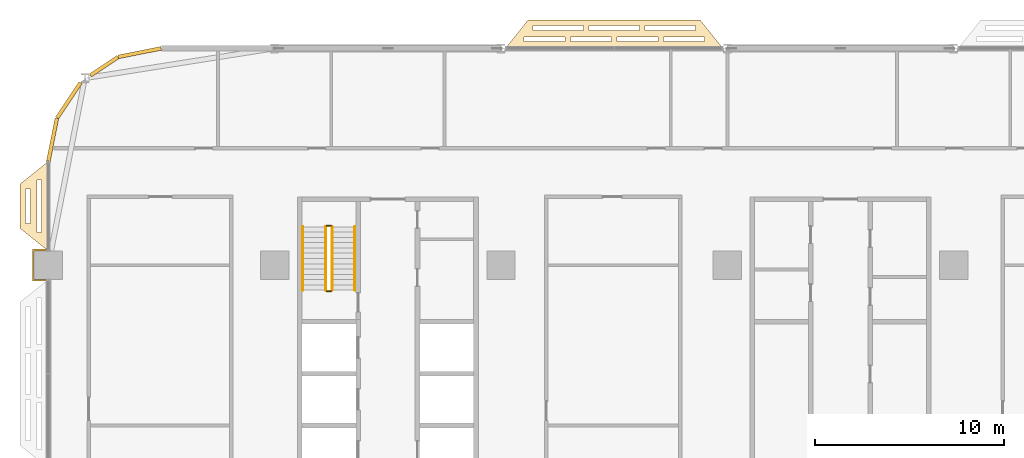
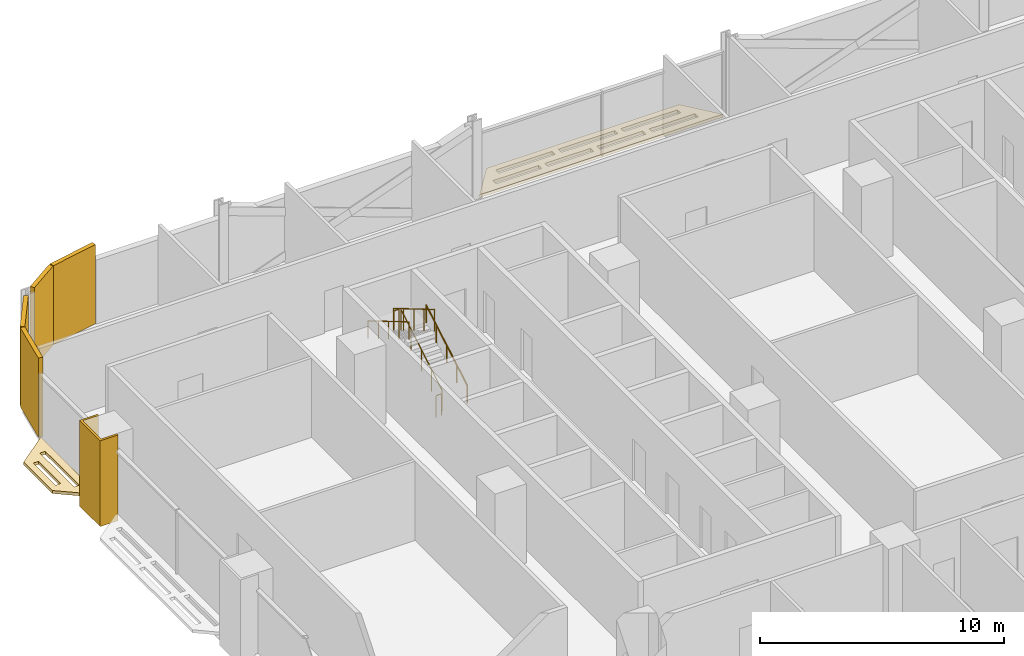
# One storey, part 26 of 29: 7 coverings, 6 railings.
"""IFC4 building model written with IfcOpenShell, lengths in metres."""

from ifc_helpers import new_model, si_unit, direction, frame, origin, origin_2d, place, context, subcontext, project, spatial, polyline, rectangle, circle, outline, extrude, material, layer, layer_set, type_object, element, save


model = new_model("IFC4")

# Units and contexts
model_context = context("Model", 3, precision=1e-05, world=origin(), true_north=direction((0.0, 1.0)))
body_context = subcontext(model_context, "Body", "Model", "MODEL_VIEW")
ifc_project = project(units=[si_unit("LENGTHUNIT", "METRE"), si_unit("AREAUNIT", "SQUARE_METRE"), si_unit("VOLUMEUNIT", "CUBIC_METRE"), si_unit("PLANEANGLEUNIT", "RADIAN"), si_unit("MASSUNIT", "GRAM", prefix="KILO")], contexts=[model_context])

# Site, building, storey
site_placement = place(None, origin())
site = spatial("IfcSite", under=ifc_project, at=site_placement, CompositionType="ELEMENT")
building_placement = place(site_placement, origin())
building = spatial("IfcBuilding", under=site, at=building_placement, Name="Mahtab Terrace Research Tower", CompositionType="ELEMENT")
storey_placement = place(building_placement, frame((0.0, 0.0, 54.60009765625)))
storey = spatial("IfcBuildingStorey", under=building, at=storey_placement, Name="L12", CompositionType="ELEMENT", Elevation=54.60009765625)

# Coverings
ifc_material_1 = material(Name="Black aluminium cladding panel", Category="aluminium")
ifc_layer_1 = layer(ifc_material_1, 0.199951171875)
ifc_layer_set_1 = layer_set([ifc_layer_1], Name="Black metal corner cladding 200")
covering_type_1 = type_object("IfcCoveringType", Name="Black metal corner cladding 200", PredefinedType="CLADDING", material=ifc_layer_set_1)
covering_1_placement = place(storey_placement, frame((-37.14794921875, 22.771484375, 0.0), z_axis=(0.0, 0.0, 1.0), x_axis=(-0.980760981187, -0.195212442692, 0.0)))
element("IfcCovering", 1, at=covering_1_placement, inside=storey, type_object=covering_type_1, Name="Corner cladding L12 11", PredefinedType="CLADDING", context=body_context, shape_type="SweptSolid", body=[
    extrude(rectangle(XDim=2.30126953125, YDim=0.199951171875, at=origin_2d()), origin(), (0.0, 0.0, 1.0), 3.9599609375),
])
covering_2_placement = place(storey_placement, frame((-39.0380859375, 22.047607421875, 0.0), z_axis=(0.0, 0.0, 1.0), x_axis=(-0.831655794326, -0.555291490808, 0.0)))
element("IfcCovering", 2, at=covering_2_placement, inside=storey, type_object=covering_type_1, Name="Corner cladding L12 12", PredefinedType="CLADDING", context=body_context, shape_type="SweptSolid", body=[
    extrude(rectangle(XDim=1.74462890625, YDim=0.199951171875, at=origin_2d()), origin(), (0.0, 0.0, 1.0), 3.9599609375),
])
covering_3_placement = place(storey_placement, frame((-40.911376953125, 20.2421875, 0.0), z_axis=(0.0, 0.0, 1.0), x_axis=(-0.555291490808, -0.831655794326, 0.0)))
element("IfcCovering", 3, at=covering_3_placement, inside=storey, type_object=covering_type_1, Name="Corner cladding L12 13", PredefinedType="CLADDING", context=body_context, shape_type="SweptSolid", body=[
    extrude(rectangle(XDim=2.235595703125, YDim=0.199951171875, at=origin_2d()), origin(), (0.0, 0.0, 1.0), 3.9599609375),
])
covering_4_placement = place(storey_placement, frame((-41.771484375, 18.14794921875, 0.0), z_axis=(0.0, 0.0, 1.0), x_axis=(-0.195212442692, -0.980760981187, 0.0)))
element("IfcCovering", 4, at=covering_4_placement, inside=storey, type_object=covering_type_1, Name="Corner cladding L12 14", PredefinedType="CLADDING", context=body_context, shape_type="SweptSolid", body=[
    extrude(rectangle(XDim=2.30126953125, YDim=0.199951171875, at=origin_2d()), origin(), (0.0, 0.0, 1.0), 3.9599609375),
])
ifc_material_2 = material(Name="Dark anodised aluminium cladding", Category="aluminium")
ifc_layer_2 = layer(ifc_material_2, 0.10009765625)
ifc_layer_set_2 = layer_set([ifc_layer_2], Name="Column casing 100")
covering_type_2 = type_object("IfcCoveringType", Name="Column casing 100", PredefinedType="CLADDING", material=ifc_layer_set_2)
covering_5_placement = place(storey_placement, frame((0.0, 0.0, -0.340087890625)))
element("IfcCovering", 5, at=covering_5_placement, inside=storey, type_object=covering_type_2, Name="Column casing RC-1C L12", PredefinedType="CLADDING", context=body_context, shape_type="SweptSolid", body=[
    extrude(outline(polyline([(-42.85009765625, 12.35009765625), (-42.0, 12.35009765625), (-42.0, 12.25), (-42.75, 12.25), (-42.75, 10.75), (-42.0, 10.75), (-42.0, 10.64990234375), (-42.85009765625, 10.64990234375), (-42.85009765625, 12.35009765625)])), origin(), (0.0, 0.0, 1.0), 4.300048828125),
])
ifc_material_3 = material(Name="Black anodised aluminium", Category="aluminium")
ifc_layer_3 = layer(ifc_material_3, 0.14990234375)
ifc_layer_set_3 = layer_set([ifc_layer_3], Name="Horizontal sunshade band")
covering_type_3 = type_object("IfcCoveringType", Name="Horizontal sunshade band", PredefinedType="CLADDING", material=ifc_layer_set_3)
covering_6_placement = place(storey_placement, frame((0.0, 0.0, -0.150146484375)))
element("IfcCovering", 6, at=covering_6_placement, inside=storey, type_object=covering_type_3, Name="Sunshade band L12 8", PredefinedType="CLADDING", context=body_context, shape_type="SweptSolid", body=[
    extrude(outline(polyline([(-6.238037109375, 23.0), (-17.761962890625, 23.0), (-16.56201171875, 24.5), (-7.43798828125, 24.5), (-6.238037109375, 23.0)]), holes=[polyline([(-7.218017578125, 23.35009765625), (-9.384033203125, 23.35009765625), (-9.384033203125, 23.60009765625), (-7.218017578125, 23.60009765625), (-7.218017578125, 23.35009765625)]), polyline([(-9.68408203125, 23.35009765625), (-11.85009765625, 23.35009765625), (-11.85009765625, 23.60009765625), (-9.68408203125, 23.60009765625), (-9.68408203125, 23.35009765625)]), polyline([(-12.14990234375, 23.35009765625), (-14.31591796875, 23.35009765625), (-14.31591796875, 23.60009765625), (-12.14990234375, 23.60009765625), (-12.14990234375, 23.35009765625)]), polyline([(-14.615966796875, 23.35009765625), (-16.781982421875, 23.35009765625), (-16.781982421875, 23.60009765625), (-14.615966796875, 23.60009765625), (-14.615966796875, 23.35009765625)]), polyline([(-7.697998046875, 23.949951171875), (-10.365966796875, 23.949951171875), (-10.365966796875, 24.199951171875), (-7.697998046875, 24.199951171875), (-7.697998046875, 23.949951171875)]), polyline([(-10.666015625, 23.949951171875), (-13.333984375, 23.949951171875), (-13.333984375, 24.199951171875), (-10.666015625, 24.199951171875), (-10.666015625, 23.949951171875)]), polyline([(-13.634033203125, 23.949951171875), (-16.302001953125, 23.949951171875), (-16.302001953125, 24.199951171875), (-13.634033203125, 24.199951171875), (-13.634033203125, 23.949951171875)])]), origin(), (0.0, 0.0, 1.0), 0.150146484375),
])
covering_7_placement = place(storey_placement, frame((0.0, 0.0, -0.150146484375)))
element("IfcCovering", 7, at=covering_7_placement, inside=storey, type_object=covering_type_3, Name="Sunshade band L12 15", PredefinedType="CLADDING", context=body_context, shape_type="SweptSolid", body=[
    extrude(outline(polyline([(-42.0, 17.0), (-42.0, 12.25), (-43.5, 13.449951171875), (-43.5, 15.800048828125), (-42.0, 17.0)]), holes=[polyline([(-42.35009765625, 16.02001953125), (-42.35009765625, 13.22998046875), (-42.60009765625, 13.22998046875), (-42.60009765625, 16.02001953125), (-42.35009765625, 16.02001953125)]), polyline([(-42.949951171875, 15.5400390625), (-42.949951171875, 13.7099609375), (-43.199951171875, 13.7099609375), (-43.199951171875, 15.5400390625), (-42.949951171875, 15.5400390625)])]), origin(), (0.0, 0.0, 1.0), 0.150146484375),
])

# Railings
ifc_material_4 = material(Name="Stainless steel AISI 304", Category="steel")
railing_type_1 = type_object("IfcRailingType", Name="Stair guard 1100", PredefinedType="GUARDRAIL", material=ifc_material_4)
railing_1_placement = place(storey_placement, frame((-26.949951171875, 10.175048828125, 0.165283203125)))
element("IfcRailing", 8, at=railing_1_placement, inside=storey, type_object=railing_type_1, Name="L12 ST1 stair guard 1", PredefinedType="GUARDRAIL", context=body_context, shape_type="SweptSolid", body=[
    extrude(circle(Radius=0.02392578125, at=origin_2d()), frame((0.0, 0.0, 1.076171875), z_axis=(0.0, 0.861011212953, 0.508585972249), x_axis=(-1.0, 0.0, 0.0)), (0.0, 0.0, 1.0), 3.90234375),
    extrude(circle(Radius=0.02099609375, at=origin_2d()), origin(), (0.0, 0.0, 1.0), 1.052001953125),
    extrude(circle(Radius=0.02099609375, at=origin_2d()), frame((0.0, 0.83984375, 0.49609375)), (0.0, 0.0, 1.0), 1.052001953125),
    extrude(circle(Radius=0.02099609375, at=origin_2d()), frame((0.0, 1.679931640625, 0.9921875)), (0.0, 0.0, 1.0), 1.052001953125),
    extrude(circle(Radius=0.02099609375, at=origin_2d()), frame((0.0, 2.52001953125, 1.488525390625)), (0.0, 0.0, 1.0), 1.052001953125),
    extrude(circle(Radius=0.02099609375, at=origin_2d()), frame((0.0, 3.35986328125, 1.984619140625)), (0.0, 0.0, 1.0), 1.052001953125),
])
railing_2_placement = place(storey_placement, frame((-27.0, 13.5849609375, 2.14990234375)))
element("IfcRailing", 9, at=railing_2_placement, inside=storey, type_object=railing_type_1, Name="L12 ST1 stair guard 2", PredefinedType="GUARDRAIL", context=body_context, shape_type="SweptSolid", body=[
    extrude(circle(Radius=0.02392578125, at=origin_2d()), frame((0.0, 0.0, 1.076171875), z_axis=(-1.0, 0.0, 0.0), x_axis=(0.0, -1.0, 0.0)), (0.0, 0.0, 1.0), 0.25),
    extrude(circle(Radius=0.02099609375, at=origin_2d()), origin(), (0.0, 0.0, 1.0), 1.052001953125),
    extrude(circle(Radius=0.02099609375, at=origin_2d()), frame((-0.25, 0.0, 0.0)), (0.0, 0.0, 1.0), 1.052001953125),
])
railing_3_placement = place(storey_placement, frame((-27.300048828125, 13.534912109375, 2.315185546875)))
element("IfcRailing", 10, at=railing_3_placement, inside=storey, type_object=railing_type_1, Name="L12 ST1 stair guard 3", PredefinedType="GUARDRAIL", context=body_context, shape_type="SweptSolid", body=[
    extrude(circle(Radius=0.02392578125, at=origin_2d()), frame((0.0, 0.0, 1.076171875), z_axis=(0.0, -0.861011212953, 0.508585972249), x_axis=(1.0, 0.0, 0.0)), (0.0, 0.0, 1.0), 3.90234375),
    extrude(circle(Radius=0.02099609375, at=origin_2d()), origin(), (0.0, 0.0, 1.0), 1.052001953125),
    extrude(circle(Radius=0.02099609375, at=origin_2d()), frame((0.0, -0.83984375, 0.49609375)), (0.0, 0.0, 1.0), 1.052001953125),
    extrude(circle(Radius=0.02099609375, at=origin_2d()), frame((0.0, -1.679931640625, 0.9921875)), (0.0, 0.0, 1.0), 1.052001953125),
    extrude(circle(Radius=0.02099609375, at=origin_2d()), frame((0.0, -2.52001953125, 1.488525390625)), (0.0, 0.0, 1.0), 1.052001953125),
    extrude(circle(Radius=0.02099609375, at=origin_2d()), frame((0.0, -3.35986328125, 1.984619140625)), (0.0, 0.0, 1.0), 1.052001953125),
])
railing_4_placement = place(storey_placement, frame((-27.0, 10.125, 0.0)))
element("IfcRailing", 11, at=railing_4_placement, inside=storey, type_object=railing_type_1, Name="L12 ST1 stair guard 4", PredefinedType="GUARDRAIL", context=body_context, shape_type="SweptSolid", body=[
    extrude(circle(Radius=0.02392578125, at=origin_2d()), frame((0.0, 0.0, 1.076171875), z_axis=(-1.0, 0.0, 0.0), x_axis=(0.0, -1.0, 0.0)), (0.0, 0.0, 1.0), 0.25),
    extrude(circle(Radius=0.02099609375, at=origin_2d()), origin(), (0.0, 0.0, 1.0), 1.052001953125),
    extrude(circle(Radius=0.02099609375, at=origin_2d()), frame((-0.25, 0.0, 0.0)), (0.0, 0.0, 1.0), 1.052001953125),
])
railing_type_2 = type_object("IfcRailingType", Name="Stair handrail 900", PredefinedType="HANDRAIL", material=ifc_material_4)
railing_5_placement = place(storey_placement, frame((-25.75, 10.175048828125, 0.165283203125)))
element("IfcRailing", 12, at=railing_5_placement, inside=storey, type_object=railing_type_2, Name="L12 ST1 stair handrail 1", PredefinedType="HANDRAIL", context=body_context, shape_type="SweptSolid", body=[
    extrude(circle(Radius=0.02392578125, at=origin_2d()), frame((0.0, 0.0, 0.8759765625), z_axis=(0.0, 0.861011212953, 0.508585972249), x_axis=(-1.0, 0.0, 0.0)), (0.0, 0.0, 1.0), 3.90234375),
    extrude(circle(Radius=0.02099609375, at=origin_2d()), origin(), (0.0, 0.0, 1.0), 0.851806640625),
    extrude(circle(Radius=0.02099609375, at=origin_2d()), frame((0.0, 0.83984375, 0.49609375)), (0.0, 0.0, 1.0), 0.851806640625),
    extrude(circle(Radius=0.02099609375, at=origin_2d()), frame((0.0, 1.679931640625, 0.9921875)), (0.0, 0.0, 1.0), 0.851806640625),
    extrude(circle(Radius=0.02099609375, at=origin_2d()), frame((0.0, 2.52001953125, 1.488525390625)), (0.0, 0.0, 1.0), 0.851806640625),
    extrude(circle(Radius=0.02099609375, at=origin_2d()), frame((0.0, 3.35986328125, 1.984619140625)), (0.0, 0.0, 1.0), 0.851806640625),
])
railing_6_placement = place(storey_placement, frame((-28.5, 13.534912109375, 2.315185546875)))
element("IfcRailing", 13, at=railing_6_placement, inside=storey, type_object=railing_type_2, Name="L12 ST1 stair handrail 2", PredefinedType="HANDRAIL", context=body_context, shape_type="SweptSolid", body=[
    extrude(circle(Radius=0.02392578125, at=origin_2d()), frame((0.0, 0.0, 0.8759765625), z_axis=(0.0, -0.861011212953, 0.508585972249), x_axis=(1.0, 0.0, 0.0)), (0.0, 0.0, 1.0), 3.90234375),
    extrude(circle(Radius=0.02099609375, at=origin_2d()), origin(), (0.0, 0.0, 1.0), 0.851806640625),
    extrude(circle(Radius=0.02099609375, at=origin_2d()), frame((0.0, -0.83984375, 0.49609375)), (0.0, 0.0, 1.0), 0.851806640625),
    extrude(circle(Radius=0.02099609375, at=origin_2d()), frame((0.0, -1.679931640625, 0.9921875)), (0.0, 0.0, 1.0), 0.851806640625),
    extrude(circle(Radius=0.02099609375, at=origin_2d()), frame((0.0, -2.52001953125, 1.488525390625)), (0.0, 0.0, 1.0), 0.851806640625),
    extrude(circle(Radius=0.02099609375, at=origin_2d()), frame((0.0, -3.35986328125, 1.984619140625)), (0.0, 0.0, 1.0), 0.851806640625),
])

save(model, "model.ifc")
